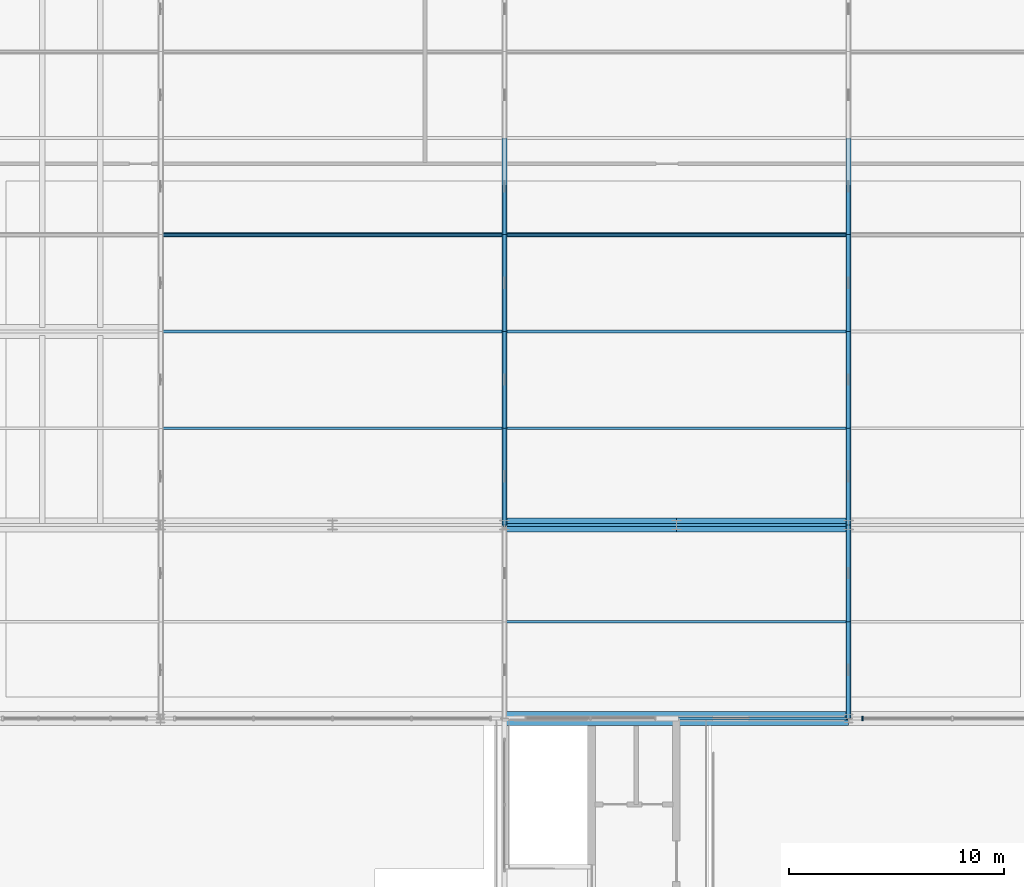
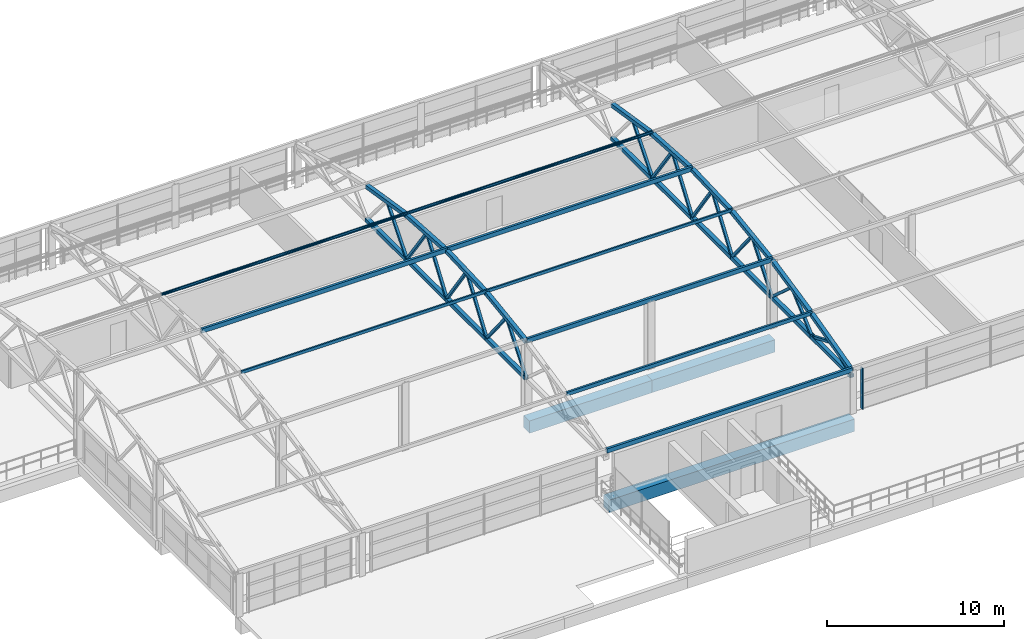
# One storey, part 16 of 50: 48 members, 3 beams, 1 element without a shape of its own.
"""IFC4 building model written with IfcOpenShell, lengths in metres."""

from ifc_helpers import new_model, si_unit, derived_unit, direction, frame, origin, origin_2d, place, context, subcontext, project, spatial, rectangle, hollow_rectangle, hollow_circle, extrude, material, layer, layer_set, material_profile, profile_set, type_object, element, aggregate, save


model = new_model("IFC4")

# Units and contexts
model_context = context("Model", 3, precision=1e-05, world=origin(), true_north=direction((0.0, 1.0)))
body_context = subcontext(model_context, "Body", "Model", "MODEL_VIEW")
ifc_project = project(units=[si_unit("LENGTHUNIT", "METRE"), si_unit("AREAUNIT", "SQUARE_METRE"), si_unit("VOLUMEUNIT", "CUBIC_METRE"), si_unit("PLANEANGLEUNIT", "RADIAN"), si_unit("MASSUNIT", "GRAM", prefix="KILO"), si_unit("THERMODYNAMICTEMPERATUREUNIT", "KELVIN"), derived_unit("THERMALTRANSMITTANCEUNIT", [(si_unit("POWERUNIT", "WATT"), 1), (si_unit("AREAUNIT", "SQUARE_METRE"), -1), (si_unit("THERMODYNAMICTEMPERATUREUNIT", "KELVIN"), -1)])], contexts=[model_context])

# Site, building, storey
site_placement = place(None, origin())
site = spatial("IfcSite", under=ifc_project, at=site_placement, CompositionType="ELEMENT")
building_placement = place(site_placement, origin())
building = spatial("IfcBuilding", under=site, at=building_placement, Name="Haiyu Intermodal Mobility Hub", CompositionType="ELEMENT")
storey_placement = place(building_placement, frame((0.0, 0.0, 25.10009765625)))
storey = spatial("IfcBuildingStorey", under=building, at=storey_placement, Name="L06", CompositionType="ELEMENT", Elevation=25.10009765625)

# Beams
ifc_material_1 = material(Name="Precast concrete C50", Category="concrete")
ifc_material_profile_1 = material_profile(ifc_material_1, rectangle(XDim=0.64990234375, YDim=0.85009765625, at=origin_2d()), Name="PC650x850")
ifc_profile_set_1 = profile_set([ifc_material_profile_1], Name="Precast concrete C50")
beam_type = type_object("IfcBeamType", Name="BM-IT03", PredefinedType="T_BEAM", material=ifc_profile_set_1)
beam_placement = place(storey_placement, frame((62.0, 113.0, -0.705078125), z_axis=(1.0, 0.0, 0.0), x_axis=(0.0, 1.0, 0.0)))
element("IfcBeam", 1, at=beam_placement, inside=storey, type_object=beam_type, Name="BM-V4G-L06-015", PredefinedType="T_BEAM", context=body_context, shape_type="SweptSolid", body=[
    extrude(rectangle(XDim=0.64990234375, YDim=0.85009765625, at=origin_2d()), origin(), (0.0, 0.0, 1.0), 16.0),
])
for number, where, z_axis, x_axis, name in (
    (2, (62.0, 122.0, -0.705078125), (1.0, 0.0, 0.0), (0.0, 1.0, 0.0), "BM-V4G-L06-024"),
    (3, (70.0, 122.0, -0.705078125), (1.0, 0.0, 0.0), (0.0, 1.0, 0.0), "BM-V4G-L06-025"),
):
    element("IfcBeam", number, at=place(storey_placement, frame(where, z_axis=z_axis, x_axis=x_axis)), inside=storey, type_object=beam_type, Name=name, PredefinedType="T_BEAM", context=body_context, shape_type="SweptSolid", body=[
        extrude(rectangle(XDim=0.64990234375, YDim=0.85009765625, at=origin_2d()), origin(), (0.0, 0.0, 1.0), 8.0),
    ])

# Curtain wall, member
ifc_material_2 = material(Name="Low-e laminated insulating glass", Category="glass")
ifc_layer = layer(ifc_material_2, 0.22998046875)
ifc_layer_set = layer_set([ifc_layer], Name="Low-e laminated insulating glass")
curtain_wall_type = type_object("IfcCurtainWallType", Name="CW-CW05", PredefinedType="NOTDEFINED", material=ifc_layer_set)
curtain_wall_placement = place(storey_placement, origin())
curtain_wall = element("IfcCurtainWall", 4, at=curtain_wall_placement, inside=storey, type_object=curtain_wall_type, Name="Curtain Wall CW-V3S-160", PredefinedType="NOTDEFINED")
ifc_material_3 = material(Name="Anodised aluminium 6063-T6", Category="aluminium")
ifc_material_profile_2 = material_profile(ifc_material_3, rectangle(XDim=0.074951171875, YDim=0.199951171875, at=origin_2d()), Name="ALU75x200")
ifc_profile_set_2 = profile_set([ifc_material_profile_2], Name="Anodised aluminium 6063-T6")
member_type_1 = type_object("IfcMemberType", Name="CWM-ML01", PredefinedType="MULLION", material=ifc_profile_set_2)
member_1_placement = place(storey_placement, frame((78.659912109375, 113.0, 0.0), z_axis=(0.0, 0.0, 1.0), x_axis=(1.0, 0.0, 0.0)))
member_1 = element("IfcMember", 5, at=member_1_placement, type_object=member_type_1, Name="CW-V3S-160-ML01", PredefinedType="MULLION", context=body_context, shape_type="SweptSolid", body=[
    extrude(rectangle(XDim=0.074951171875, YDim=0.199951171875, at=origin_2d()), origin(), (0.0, 0.0, 1.0), 2.849853515625),
])
aggregate(curtain_wall, [member_1])

# Members
ifc_material_4 = material(Name="Steel Q355C", Category="steel")
ifc_material_profile_3 = material_profile(ifc_material_4, hollow_rectangle(XDim=0.25, YDim=0.25, WallThickness=0.010009765625, at=origin_2d()), Name="SHS250x250x10")
ifc_profile_set_3 = profile_set([ifc_material_profile_3], Name="Steel Q355C")
member_type_2 = type_object("IfcMemberType", Name="MEM-CH01", PredefinedType="CHORD", material=ifc_profile_set_3)
member_2_placement = place(storey_placement, frame((62.0, 122.0, 4.991943359375), z_axis=(0.0, 0.990345287577, 0.138622550019), x_axis=(-1.0, 0.0, 0.0)))
element("IfcMember", 6, at=member_2_placement, inside=storey, type_object=member_type_2, Name="MEM-PAV-TC-019", PredefinedType="CHORD", context=body_context, shape_type="SweptSolid", body=[
    extrude(hollow_rectangle(XDim=0.25, YDim=0.25, WallThickness=0.010009765625, at=origin_2d()), origin(), (0.0, 0.0, 1.0), 4.5439453125),
])
member_3_placement = place(storey_placement, frame((62.0, 122.0, 2.5), z_axis=(0.0, 1.0, 0.0), x_axis=(-1.0, 0.0, 0.0)))
element("IfcMember", 7, at=member_3_placement, inside=storey, type_object=member_type_2, Name="MEM-PAV-BC-019", PredefinedType="CHORD", context=body_context, shape_type="SweptSolid", body=[
    extrude(hollow_rectangle(XDim=0.25, YDim=0.25, WallThickness=0.010009765625, at=origin_2d()), origin(), (0.0, 0.0, 1.0), 4.5),
])
member_4_placement = place(storey_placement, frame((62.0, 126.5, 5.621826171875), z_axis=(0.0, 0.999155473928, 0.041089401543), x_axis=(-1.0, 0.0, 0.0)))
element("IfcMember", 8, at=member_4_placement, inside=storey, type_object=member_type_2, Name="MEM-PAV-TC-020", PredefinedType="CHORD", context=body_context, shape_type="SweptSolid", body=[
    extrude(hollow_rectangle(XDim=0.25, YDim=0.25, WallThickness=0.010009765625, at=origin_2d()), origin(), (0.0, 0.0, 1.0), 4.50390625),
])
member_5_placement = place(storey_placement, frame((62.0, 126.5, 2.5), z_axis=(0.0, 1.0, 0.0), x_axis=(-1.0, 0.0, 0.0)))
element("IfcMember", 9, at=member_5_placement, inside=storey, type_object=member_type_2, Name="MEM-PAV-BC-020", PredefinedType="CHORD", context=body_context, shape_type="SweptSolid", body=[
    extrude(hollow_rectangle(XDim=0.25, YDim=0.25, WallThickness=0.010009765625, at=origin_2d()), origin(), (0.0, 0.0, 1.0), 4.5),
])
member_6_placement = place(storey_placement, frame((62.0, 131.0, 5.806884765625), z_axis=(0.0, 0.997943223953, -0.064103991816), x_axis=(-1.0, 0.0, 0.0)))
element("IfcMember", 10, at=member_6_placement, inside=storey, type_object=member_type_2, Name="MEM-PAV-TC-021", PredefinedType="CHORD", context=body_context, shape_type="SweptSolid", body=[
    extrude(hollow_rectangle(XDim=0.25, YDim=0.25, WallThickness=0.010009765625, at=origin_2d()), origin(), (0.0, 0.0, 1.0), 4.50927734375),
])
member_7_placement = place(storey_placement, frame((62.0, 131.0, 2.5), z_axis=(0.0, 1.0, 0.0), x_axis=(-1.0, 0.0, 0.0)))
element("IfcMember", 11, at=member_7_placement, inside=storey, type_object=member_type_2, Name="MEM-PAV-BC-021", PredefinedType="CHORD", context=body_context, shape_type="SweptSolid", body=[
    extrude(hollow_rectangle(XDim=0.25, YDim=0.25, WallThickness=0.010009765625, at=origin_2d()), origin(), (0.0, 0.0, 1.0), 4.5),
])
member_8_placement = place(storey_placement, frame((62.0, 135.5, 5.517822265625), z_axis=(0.0, 0.987541733158, -0.157357317181), x_axis=(-1.0, 0.0, 0.0)))
element("IfcMember", 12, at=member_8_placement, inside=storey, type_object=member_type_2, Name="MEM-PAV-TC-022", PredefinedType="CHORD", context=body_context, shape_type="SweptSolid", body=[
    extrude(hollow_rectangle(XDim=0.25, YDim=0.25, WallThickness=0.010009765625, at=origin_2d()), origin(), (0.0, 0.0, 1.0), 4.556884765625),
])
member_9_placement = place(storey_placement, frame((62.0, 135.5, 2.5), z_axis=(0.0, 1.0, 0.0), x_axis=(-1.0, 0.0, 0.0)))
element("IfcMember", 13, at=member_9_placement, inside=storey, type_object=member_type_2, Name="MEM-PAV-BC-022", PredefinedType="CHORD", context=body_context, shape_type="SweptSolid", body=[
    extrude(hollow_rectangle(XDim=0.25, YDim=0.25, WallThickness=0.010009765625, at=origin_2d()), origin(), (0.0, 0.0, 1.0), 4.5),
])
member_10_placement = place(storey_placement, frame((78.0, 113.0, 2.85986328125), z_axis=(0.0, 0.968399815357, 0.249402882134), x_axis=(-1.0, 0.0, 0.0)))
element("IfcMember", 14, at=member_10_placement, inside=storey, type_object=member_type_2, Name="MEM-PAV-TC-025", PredefinedType="CHORD", context=body_context, shape_type="SweptSolid", body=[
    extrude(hollow_rectangle(XDim=0.25, YDim=0.25, WallThickness=0.010009765625, at=origin_2d()), origin(), (0.0, 0.0, 1.0), 4.646728515625),
])
member_11_placement = place(storey_placement, frame((78.0, 113.0, 2.5), z_axis=(0.0, 1.0, 0.0), x_axis=(-1.0, 0.0, 0.0)))
element("IfcMember", 15, at=member_11_placement, inside=storey, type_object=member_type_2, Name="MEM-PAV-BC-025", PredefinedType="CHORD", context=body_context, shape_type="SweptSolid", body=[
    extrude(hollow_rectangle(XDim=0.25, YDim=0.25, WallThickness=0.010009765625, at=origin_2d()), origin(), (0.0, 0.0, 1.0), 4.5),
])
member_12_placement = place(storey_placement, frame((78.0, 117.5, 4.018798828125), z_axis=(0.0, 0.97740646782, 0.211368390882), x_axis=(-1.0, 0.0, 0.0)))
element("IfcMember", 16, at=member_12_placement, inside=storey, type_object=member_type_2, Name="MEM-PAV-TC-026", PredefinedType="CHORD", context=body_context, shape_type="SweptSolid", body=[
    extrude(hollow_rectangle(XDim=0.25, YDim=0.25, WallThickness=0.010009765625, at=origin_2d()), origin(), (0.0, 0.0, 1.0), 4.60400390625),
])
member_13_placement = place(storey_placement, frame((78.0, 117.5, 2.5), z_axis=(0.0, 1.0, 0.0), x_axis=(-1.0, 0.0, 0.0)))
element("IfcMember", 17, at=member_13_placement, inside=storey, type_object=member_type_2, Name="MEM-PAV-BC-026", PredefinedType="CHORD", context=body_context, shape_type="SweptSolid", body=[
    extrude(hollow_rectangle(XDim=0.25, YDim=0.25, WallThickness=0.010009765625, at=origin_2d()), origin(), (0.0, 0.0, 1.0), 4.5),
])
member_14_placement = place(storey_placement, frame((78.0, 122.0, 4.991943359375), z_axis=(0.0, 0.990345287577, 0.138622550019), x_axis=(-1.0, 0.0, 0.0)))
element("IfcMember", 18, at=member_14_placement, inside=storey, type_object=member_type_2, Name="MEM-PAV-TC-027", PredefinedType="CHORD", context=body_context, shape_type="SweptSolid", body=[
    extrude(hollow_rectangle(XDim=0.25, YDim=0.25, WallThickness=0.010009765625, at=origin_2d()), origin(), (0.0, 0.0, 1.0), 4.5439453125),
])
member_15_placement = place(storey_placement, frame((78.0, 122.0, 2.5), z_axis=(0.0, 1.0, 0.0), x_axis=(-1.0, 0.0, 0.0)))
element("IfcMember", 19, at=member_15_placement, inside=storey, type_object=member_type_2, Name="MEM-PAV-BC-027", PredefinedType="CHORD", context=body_context, shape_type="SweptSolid", body=[
    extrude(hollow_rectangle(XDim=0.25, YDim=0.25, WallThickness=0.010009765625, at=origin_2d()), origin(), (0.0, 0.0, 1.0), 4.5),
])
member_16_placement = place(storey_placement, frame((78.0, 126.5, 5.621826171875), z_axis=(0.0, 0.999155473928, 0.041089401543), x_axis=(-1.0, 0.0, 0.0)))
element("IfcMember", 20, at=member_16_placement, inside=storey, type_object=member_type_2, Name="MEM-PAV-TC-028", PredefinedType="CHORD", context=body_context, shape_type="SweptSolid", body=[
    extrude(hollow_rectangle(XDim=0.25, YDim=0.25, WallThickness=0.010009765625, at=origin_2d()), origin(), (0.0, 0.0, 1.0), 4.50390625),
])
member_17_placement = place(storey_placement, frame((78.0, 126.5, 2.5), z_axis=(0.0, 1.0, 0.0), x_axis=(-1.0, 0.0, 0.0)))
element("IfcMember", 21, at=member_17_placement, inside=storey, type_object=member_type_2, Name="MEM-PAV-BC-028", PredefinedType="CHORD", context=body_context, shape_type="SweptSolid", body=[
    extrude(hollow_rectangle(XDim=0.25, YDim=0.25, WallThickness=0.010009765625, at=origin_2d()), origin(), (0.0, 0.0, 1.0), 4.5),
])
member_18_placement = place(storey_placement, frame((78.0, 131.0, 5.806884765625), z_axis=(0.0, 0.997943223953, -0.064103991816), x_axis=(-1.0, 0.0, 0.0)))
element("IfcMember", 22, at=member_18_placement, inside=storey, type_object=member_type_2, Name="MEM-PAV-TC-029", PredefinedType="CHORD", context=body_context, shape_type="SweptSolid", body=[
    extrude(hollow_rectangle(XDim=0.25, YDim=0.25, WallThickness=0.010009765625, at=origin_2d()), origin(), (0.0, 0.0, 1.0), 4.50927734375),
])
member_19_placement = place(storey_placement, frame((78.0, 131.0, 2.5), z_axis=(0.0, 1.0, 0.0), x_axis=(-1.0, 0.0, 0.0)))
element("IfcMember", 23, at=member_19_placement, inside=storey, type_object=member_type_2, Name="MEM-PAV-BC-029", PredefinedType="CHORD", context=body_context, shape_type="SweptSolid", body=[
    extrude(hollow_rectangle(XDim=0.25, YDim=0.25, WallThickness=0.010009765625, at=origin_2d()), origin(), (0.0, 0.0, 1.0), 4.5),
])
member_20_placement = place(storey_placement, frame((78.0, 135.5, 5.517822265625), z_axis=(0.0, 0.987541733158, -0.157357317181), x_axis=(-1.0, 0.0, 0.0)))
element("IfcMember", 24, at=member_20_placement, inside=storey, type_object=member_type_2, Name="MEM-PAV-TC-030", PredefinedType="CHORD", context=body_context, shape_type="SweptSolid", body=[
    extrude(hollow_rectangle(XDim=0.25, YDim=0.25, WallThickness=0.010009765625, at=origin_2d()), origin(), (0.0, 0.0, 1.0), 4.556884765625),
])
member_21_placement = place(storey_placement, frame((78.0, 135.5, 2.5), z_axis=(0.0, 1.0, 0.0), x_axis=(-1.0, 0.0, 0.0)))
element("IfcMember", 25, at=member_21_placement, inside=storey, type_object=member_type_2, Name="MEM-PAV-BC-030", PredefinedType="CHORD", context=body_context, shape_type="SweptSolid", body=[
    extrude(hollow_rectangle(XDim=0.25, YDim=0.25, WallThickness=0.010009765625, at=origin_2d()), origin(), (0.0, 0.0, 1.0), 4.5),
])
ifc_material_profile_4 = material_profile(ifc_material_4, hollow_rectangle(XDim=0.159912109375, YDim=0.159912109375, WallThickness=0.006103515625, at=origin_2d()), Name="SHS160x160x6")
ifc_profile_set_4 = profile_set([ifc_material_profile_4], Name="Steel Q355C")
member_type_3 = type_object("IfcMemberType", Name="MEM-CH03", PredefinedType="CHORD", material=ifc_profile_set_4)
for number, where, z_axis, x_axis, name in (
    (26, (62.0, 122.0, 2.5), (0.0, 0.625456177782, 0.780259296436), (-1.0, 0.0, 0.0), "MEM-PAV-D1-019"),
    (27, (62.0, 124.25, 5.306884765625), (0.0, 0.625456177782, -0.780259296436), (-1.0, 0.0, 0.0), "MEM-PAV-D2-019"),
):
    element("IfcMember", number, at=place(storey_placement, frame(where, z_axis=z_axis, x_axis=x_axis)), inside=storey, type_object=member_type_3, Name=name, PredefinedType="CHORD", context=body_context, shape_type="SweptSolid", body=[
        extrude(hollow_rectangle(XDim=0.159912109375, YDim=0.159912109375, WallThickness=0.006103515625, at=origin_2d()), origin(), (0.0, 0.0, 1.0), 3.597412109375),
    ])
for number, where, z_axis, x_axis, name in (
    (28, (62.0, 126.5, 2.5), (0.0, 0.573395531829, 0.819278685234), (-1.0, 0.0, 0.0), "MEM-PAV-D1-020"),
    (29, (62.0, 128.75, 5.71484375), (0.0, 0.573395531829, -0.819278685234), (-1.0, 0.0, 0.0), "MEM-PAV-D2-020"),
):
    element("IfcMember", number, at=place(storey_placement, frame(where, z_axis=z_axis, x_axis=x_axis)), inside=storey, type_object=member_type_3, Name=name, PredefinedType="CHORD", context=body_context, shape_type="SweptSolid", body=[
        extrude(hollow_rectangle(XDim=0.159912109375, YDim=0.159912109375, WallThickness=0.006103515625, at=origin_2d()), origin(), (0.0, 0.0, 1.0), 3.924072265625),
    ])
for number, where, z_axis, x_axis, name in (
    (30, (62.0, 131.0, 2.5), (0.0, 0.579791164583, 0.814765122886), (-1.0, 0.0, 0.0), "MEM-PAV-D1-021"),
    (31, (62.0, 133.25, 5.661865234375), (0.0, 0.579791164583, -0.814765122886), (-1.0, 0.0, 0.0), "MEM-PAV-D2-021"),
):
    element("IfcMember", number, at=place(storey_placement, frame(where, z_axis=z_axis, x_axis=x_axis)), inside=storey, type_object=member_type_3, Name=name, PredefinedType="CHORD", context=body_context, shape_type="SweptSolid", body=[
        extrude(hollow_rectangle(XDim=0.159912109375, YDim=0.159912109375, WallThickness=0.006103515625, at=origin_2d()), origin(), (0.0, 0.0, 1.0), 3.880615234375),
    ])
member_22_placement = place(storey_placement, frame((62.0, 135.5, 2.5), z_axis=(0.0, 0.64582600347, 0.763484625413), x_axis=(-1.0, 0.0, 0.0)))
element("IfcMember", 32, at=member_22_placement, inside=storey, type_object=member_type_3, Name="MEM-PAV-D1-022", PredefinedType="CHORD", context=body_context, shape_type="SweptSolid", body=[
    extrude(hollow_rectangle(XDim=0.159912109375, YDim=0.159912109375, WallThickness=0.006103515625, at=origin_2d()), origin(), (0.0, 0.0, 1.0), 3.48388671875),
])
for number, where, z_axis, x_axis, name in (
    (33, (78.0, 113.0, 2.5), (0.0, 0.922721067399, 0.385468327852), (-1.0, 0.0, 0.0), "MEM-PAV-D1-025"),
    (34, (78.0, 115.25, 3.43994140625), (0.0, 0.922721067399, -0.385468327852), (-1.0, 0.0, 0.0), "MEM-PAV-D2-025"),
):
    element("IfcMember", number, at=place(storey_placement, frame(where, z_axis=z_axis, x_axis=x_axis)), inside=storey, type_object=member_type_3, Name=name, PredefinedType="CHORD", context=body_context, shape_type="SweptSolid", body=[
        extrude(hollow_rectangle(XDim=0.159912109375, YDim=0.159912109375, WallThickness=0.006103515625, at=origin_2d()), origin(), (0.0, 0.0, 1.0), 2.4384765625),
    ])
for number, where, z_axis, x_axis, name in (
    (35, (78.0, 117.5, 2.5), (0.0, 0.746443301458, 0.665449019616), (-1.0, 0.0, 0.0), "MEM-PAV-D1-026"),
    (36, (78.0, 119.75, 4.505859375), (0.0, 0.746443301458, -0.665449019616), (-1.0, 0.0, 0.0), "MEM-PAV-D2-026"),
):
    element("IfcMember", number, at=place(storey_placement, frame(where, z_axis=z_axis, x_axis=x_axis)), inside=storey, type_object=member_type_3, Name=name, PredefinedType="CHORD", context=body_context, shape_type="SweptSolid", body=[
        extrude(hollow_rectangle(XDim=0.159912109375, YDim=0.159912109375, WallThickness=0.006103515625, at=origin_2d()), origin(), (0.0, 0.0, 1.0), 3.014404296875),
    ])
for number, where, z_axis, x_axis, name in (
    (37, (78.0, 122.0, 2.5), (0.0, 0.625456177782, 0.780259296436), (-1.0, 0.0, 0.0), "MEM-PAV-D1-027"),
    (38, (78.0, 124.25, 5.306884765625), (0.0, 0.625456177782, -0.780259296436), (-1.0, 0.0, 0.0), "MEM-PAV-D2-027"),
):
    element("IfcMember", number, at=place(storey_placement, frame(where, z_axis=z_axis, x_axis=x_axis)), inside=storey, type_object=member_type_3, Name=name, PredefinedType="CHORD", context=body_context, shape_type="SweptSolid", body=[
        extrude(hollow_rectangle(XDim=0.159912109375, YDim=0.159912109375, WallThickness=0.006103515625, at=origin_2d()), origin(), (0.0, 0.0, 1.0), 3.597412109375),
    ])
for number, where, z_axis, x_axis, name in (
    (39, (78.0, 126.5, 2.5), (0.0, 0.573395531829, 0.819278685234), (-1.0, 0.0, 0.0), "MEM-PAV-D1-028"),
    (40, (78.0, 128.75, 5.71484375), (0.0, 0.573395531829, -0.819278685234), (-1.0, 0.0, 0.0), "MEM-PAV-D2-028"),
):
    element("IfcMember", number, at=place(storey_placement, frame(where, z_axis=z_axis, x_axis=x_axis)), inside=storey, type_object=member_type_3, Name=name, PredefinedType="CHORD", context=body_context, shape_type="SweptSolid", body=[
        extrude(hollow_rectangle(XDim=0.159912109375, YDim=0.159912109375, WallThickness=0.006103515625, at=origin_2d()), origin(), (0.0, 0.0, 1.0), 3.924072265625),
    ])
for number, where, z_axis, x_axis, name in (
    (41, (78.0, 131.0, 2.5), (0.0, 0.579791164583, 0.814765122886), (-1.0, 0.0, 0.0), "MEM-PAV-D1-029"),
    (42, (78.0, 133.25, 5.661865234375), (0.0, 0.579791164583, -0.814765122886), (-1.0, 0.0, 0.0), "MEM-PAV-D2-029"),
):
    element("IfcMember", number, at=place(storey_placement, frame(where, z_axis=z_axis, x_axis=x_axis)), inside=storey, type_object=member_type_3, Name=name, PredefinedType="CHORD", context=body_context, shape_type="SweptSolid", body=[
        extrude(hollow_rectangle(XDim=0.159912109375, YDim=0.159912109375, WallThickness=0.006103515625, at=origin_2d()), origin(), (0.0, 0.0, 1.0), 3.880615234375),
    ])
member_23_placement = place(storey_placement, frame((78.0, 135.5, 2.5), z_axis=(0.0, 0.64582600347, 0.763484625413), x_axis=(-1.0, 0.0, 0.0)))
element("IfcMember", 43, at=member_23_placement, inside=storey, type_object=member_type_3, Name="MEM-PAV-D1-030", PredefinedType="CHORD", context=body_context, shape_type="SweptSolid", body=[
    extrude(hollow_rectangle(XDim=0.159912109375, YDim=0.159912109375, WallThickness=0.006103515625, at=origin_2d()), origin(), (0.0, 0.0, 1.0), 3.48388671875),
])
ifc_material_profile_5 = material_profile(ifc_material_4, hollow_rectangle(XDim=0.14990234375, YDim=0.300048828125, WallThickness=0.010009765625, at=origin_2d()), Name="RHS300x150x10")
ifc_profile_set_5 = profile_set([ifc_material_profile_5], Name="Steel Q355C")
member_type_4 = type_object("IfcMemberType", Name="MEM-PR01", PredefinedType="PURLIN", material=ifc_profile_set_5)
for number, where, z_axis, x_axis, name in (
    (44, (62.0, 113.0, 2.947998046875), (1.0, 0.0, 0.0), (0.0, 1.0, 0.0), "MEM-PAV-PR-003"),
    (45, (62.0, 122.0, 5.079833984375), (1.0, 0.0, 0.0), (0.0, 1.0, 0.0), "MEM-PAV-PR-008"),
    (46, (46.0, 131.0, 5.89501953125), (1.0, 0.0, 0.0), (0.0, 1.0, 0.0), "MEM-PAV-PR-012"),
    (47, (62.0, 131.0, 5.89501953125), (1.0, 0.0, 0.0), (0.0, 1.0, 0.0), "MEM-PAV-PR-013"),
):
    element("IfcMember", number, at=place(storey_placement, frame(where, z_axis=z_axis, x_axis=x_axis)), inside=storey, type_object=member_type_4, Name=name, PredefinedType="PURLIN", context=body_context, shape_type="SweptSolid", body=[
        extrude(hollow_rectangle(XDim=0.14990234375, YDim=0.300048828125, WallThickness=0.010009765625, at=origin_2d()), origin(), (0.0, 0.0, 1.0), 16.0),
    ])
ifc_material_profile_6 = material_profile(ifc_material_4, hollow_rectangle(XDim=0.125, YDim=0.25, WallThickness=0.008056640625, at=origin_2d()), Name="RHS250x125x8")
ifc_profile_set_6 = profile_set([ifc_material_profile_6], Name="Steel Q355C")
member_type_5 = type_object("IfcMemberType", Name="MEM-PR02-INT", PredefinedType="PURLIN", material=ifc_profile_set_6)
member_24_placement = place(storey_placement, frame((62.0, 117.5, 4.1298828125), z_axis=(1.0, 0.0, 0.0), x_axis=(0.0, 1.0, 0.0)))
element("IfcMember", 48, at=member_24_placement, inside=storey, type_object=member_type_5, Name="MEM-PAV-SPR-003", PredefinedType="PURLIN", context=body_context, shape_type="SweptSolid", body=[
    extrude(hollow_rectangle(XDim=0.125, YDim=0.25, WallThickness=0.008056640625, at=origin_2d()), origin(), (0.0, 0.0, 1.0), 16.0),
])
ifc_material_profile_7 = material_profile(ifc_material_4, hollow_rectangle(XDim=0.10009765625, YDim=0.199951171875, WallThickness=0.006103515625, at=origin_2d()), Name="RHS200x100x6")
ifc_profile_set_7 = profile_set([ifc_material_profile_7], Name="Steel Q355C")
member_type_6 = type_object("IfcMemberType", Name="MEM-PR03-INT", PredefinedType="PURLIN", material=ifc_profile_set_7)
for number, where, z_axis, x_axis, name in (
    (49, (46.0, 126.5, 5.7578125), (1.0, 0.0, 0.0), (0.0, 1.0, 0.0), "MEM-PAV-SPR-007"),
    (50, (62.0, 126.5, 5.7578125), (1.0, 0.0, 0.0), (0.0, 1.0, 0.0), "MEM-PAV-SPR-008"),
):
    element("IfcMember", number, at=place(storey_placement, frame(where, z_axis=z_axis, x_axis=x_axis)), inside=storey, type_object=member_type_6, Name=name, PredefinedType="PURLIN", context=body_context, shape_type="SweptSolid", body=[
        extrude(hollow_rectangle(XDim=0.10009765625, YDim=0.199951171875, WallThickness=0.006103515625, at=origin_2d()), origin(), (0.0, 0.0, 1.0), 16.0),
    ])
ifc_material_profile_8 = material_profile(ifc_material_4, hollow_circle(Radius=0.096923828125, WallThickness=0.006103515625, at=origin_2d()), Name="CHS194x6")
ifc_profile_set_8 = profile_set([ifc_material_profile_8], Name="Steel Q355C")
member_type_7 = type_object("IfcMemberType", Name="MEM-PR04-INT", PredefinedType="PURLIN", material=ifc_profile_set_8)
for number, where, z_axis, x_axis, name in (
    (51, (46.0, 135.5, 5.656982421875), (1.0, 0.0, 0.0), (0.0, 1.0, 0.0), "MEM-PAV-SPR-012"),
    (52, (62.0, 135.5, 5.656982421875), (1.0, 0.0, 0.0), (0.0, 1.0, 0.0), "MEM-PAV-SPR-013"),
):
    element("IfcMember", number, at=place(storey_placement, frame(where, z_axis=z_axis, x_axis=x_axis)), inside=storey, type_object=member_type_7, Name=name, PredefinedType="PURLIN", context=body_context, shape_type="SweptSolid", body=[
        extrude(hollow_circle(Radius=0.096923828125, WallThickness=0.006103515625, at=origin_2d()), origin(), (0.0, 0.0, 1.0), 16.0),
    ])

save(model, "model.ifc")
